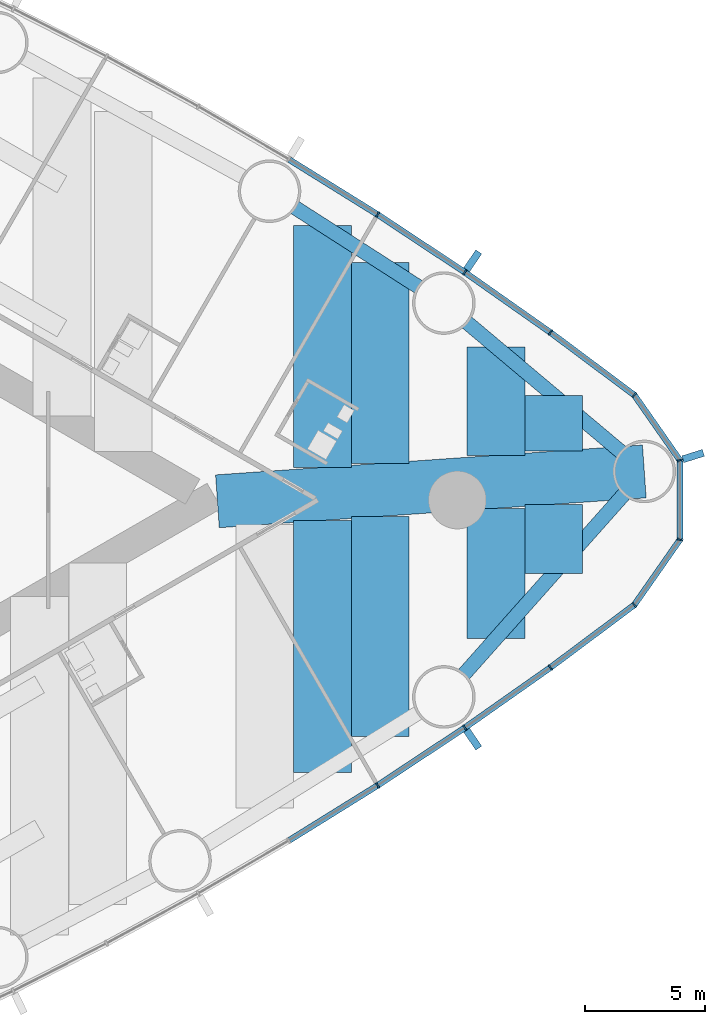
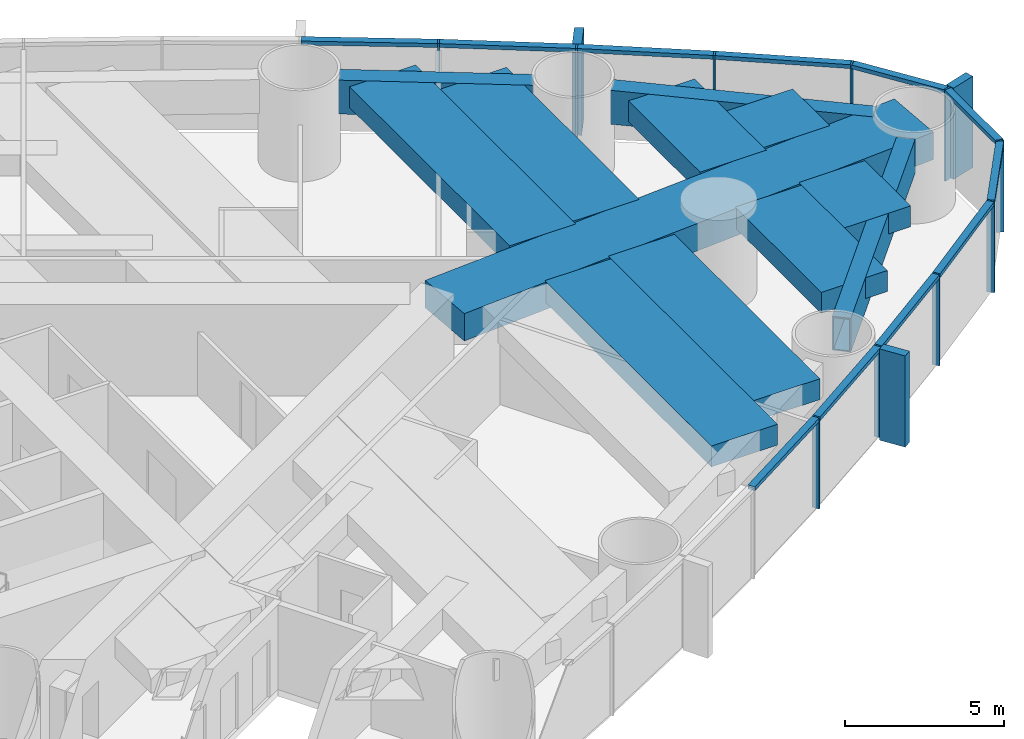
# One storey, part 8 of 18: 24 members, 12 beams, 1 element without a shape of its own.
"""IFC4 building model written with IfcOpenShell, lengths in metres."""

from ifc_helpers import new_model, si_unit, direction, frame, origin, origin_2d, place, context, subcontext, project, spatial, rectangle, hollow_rectangle, extrude, material, material_profile, profile_set, type_object, element, aggregate, save


model = new_model("IFC4")

# Units and contexts
model_context = context("Model", 3, precision=1e-05, world=origin(), true_north=direction((0.0, 1.0)))
body_context = subcontext(model_context, "Body", "Model", "MODEL_VIEW")
ifc_project = project(units=[si_unit("LENGTHUNIT", "METRE"), si_unit("AREAUNIT", "SQUARE_METRE"), si_unit("VOLUMEUNIT", "CUBIC_METRE"), si_unit("PLANEANGLEUNIT", "RADIAN"), si_unit("MASSUNIT", "GRAM", prefix="KILO")], contexts=[model_context])

# Site, building, storey
site_placement = place(None, origin())
site = spatial("IfcSite", under=ifc_project, at=site_placement, CompositionType="ELEMENT")
building_placement = place(site_placement, origin())
building = spatial("IfcBuilding", under=site, at=building_placement, Name="Lancet Gate Hotel", CompositionType="ELEMENT")
storey_placement = place(building_placement, frame((0.0, 0.0, 139.60009765625)))
storey = spatial("IfcBuildingStorey", under=building, at=storey_placement, Name="L37", CompositionType="ELEMENT", Elevation=139.60009765625)

# Curtain wall, members
ifc_material_1 = material(Name="Aluminium curtain wall", Category="aluminium")
curtain_wall_type = type_object("IfcCurtainWallType", Name="Tower unitised curtain wall", PredefinedType="USERDEFINED", material=ifc_material_1)
curtain_wall_placement = place(storey_placement, origin())
curtain_wall = element("IfcCurtainWall", 1, at=curtain_wall_placement, inside=storey, type_object=curtain_wall_type, Name="T2 L37 curtain wall 1", ObjectType="UNITISED CURTAIN WALL", PredefinedType="USERDEFINED")
ifc_material_2 = material(Name="Aluminium mullion", Category="aluminium")
ifc_material_profile_1 = material_profile(ifc_material_2, rectangle(XDim=0.06494140625, YDim=0.25, at=origin_2d()), Name="MULLION 65x250")
ifc_profile_set_1 = profile_set([ifc_material_profile_1], Name="Aluminium mullion")
member_type_1 = type_object("IfcMemberType", Name="Aluminium mullion 65x250", PredefinedType="MULLION", material=ifc_profile_set_1)
member_1_placement = place(storey_placement, frame((58.188720703125, -11.8603515625, 0.0), z_axis=(0.0, 0.0, 1.0), x_axis=(0.841736224144, 0.539888996891, 0.0)))
member_1 = element("IfcMember", 2, at=member_1_placement, type_object=member_type_1, Name="T2 L37 curtain wall 1 mullion 13", PredefinedType="MULLION", context=body_context, shape_type="SweptSolid", body=[
    extrude(rectangle(XDim=0.06494140625, YDim=0.25, at=origin_2d()), origin(), (0.0, 0.0, 1.0), 3.5),
])
member_2_placement = place(storey_placement, frame((61.814208984375, -9.461669921875, 0.0), z_axis=(0.0, 0.0, 1.0), x_axis=(0.826065510491, 0.563574105489, 0.0)))
member_2 = element("IfcMember", 3, at=member_2_placement, type_object=member_type_1, Name="T2 L37 curtain wall 1 mullion 14", PredefinedType="MULLION", context=body_context, shape_type="SweptSolid", body=[
    extrude(rectangle(XDim=0.06494140625, YDim=0.25, at=origin_2d()), origin(), (0.0, 0.0, 1.0), 3.5),
])
member_3_placement = place(storey_placement, frame((65.370361328125, -6.9609375, 0.0), z_axis=(0.0, 0.0, 1.0), x_axis=(0.809728529035, 0.586804660229, 0.0)))
member_3 = element("IfcMember", 4, at=member_3_placement, type_object=member_type_1, Name="T2 L37 curtain wall 1 mullion 15", PredefinedType="MULLION", context=body_context, shape_type="SweptSolid", body=[
    extrude(rectangle(XDim=0.06494140625, YDim=0.25, at=origin_2d()), origin(), (0.0, 0.0, 1.0), 3.5),
])
member_4_placement = place(storey_placement, frame((68.853759765625, -4.360107421875, 0.0), z_axis=(0.0, 0.0, 1.0), x_axis=(0.711610374907, 0.702574319432, 0.0)))
member_4 = element("IfcMember", 5, at=member_4_placement, type_object=member_type_1, Name="T2 L37 curtain wall 1 mullion 16", PredefinedType="MULLION", context=body_context, shape_type="SweptSolid", body=[
    extrude(rectangle(XDim=0.06494140625, YDim=0.25, at=origin_2d()), origin(), (0.0, 0.0, 1.0), 3.5),
])
member_5_placement = place(storey_placement, frame((70.747314453125, -1.652099609375, 0.0), z_axis=(0.0, 0.0, 1.0), x_axis=(0.300384890639, 0.953818073574, 0.0)))
member_5 = element("IfcMember", 6, at=member_5_placement, type_object=member_type_1, Name="T2 L37 curtain wall 1 mullion 17", PredefinedType="MULLION", context=body_context, shape_type="SweptSolid", body=[
    extrude(rectangle(XDim=0.06494140625, YDim=0.25, at=origin_2d()), origin(), (0.0, 0.0, 1.0), 3.5),
])
member_6_placement = place(storey_placement, frame((70.747314453125, 1.652099609375, 0.0), z_axis=(0.0, 0.0, 1.0), x_axis=(-0.300384890639, 0.953818073574, 0.0)))
member_6 = element("IfcMember", 7, at=member_6_placement, type_object=member_type_1, Name="T2 L37 curtain wall 1 mullion 18", PredefinedType="MULLION", context=body_context, shape_type="SweptSolid", body=[
    extrude(rectangle(XDim=0.06494140625, YDim=0.25, at=origin_2d()), origin(), (0.0, 0.0, 1.0), 3.5),
])
member_7_placement = place(storey_placement, frame((68.853759765625, 4.360107421875, 0.0), z_axis=(0.0, 0.0, 1.0), x_axis=(-0.711610374907, 0.702574319432, 0.0)))
member_7 = element("IfcMember", 8, at=member_7_placement, type_object=member_type_1, Name="T2 L37 curtain wall 1 mullion 19", PredefinedType="MULLION", context=body_context, shape_type="SweptSolid", body=[
    extrude(rectangle(XDim=0.06494140625, YDim=0.25, at=origin_2d()), origin(), (0.0, 0.0, 1.0), 3.5),
])
member_8_placement = place(storey_placement, frame((65.370361328125, 6.9609375, 0.0), z_axis=(0.0, 0.0, 1.0), x_axis=(-0.809728529035, 0.586804660229, 0.0)))
member_8 = element("IfcMember", 9, at=member_8_placement, type_object=member_type_1, Name="T2 L37 curtain wall 1 mullion 20", PredefinedType="MULLION", context=body_context, shape_type="SweptSolid", body=[
    extrude(rectangle(XDim=0.06494140625, YDim=0.25, at=origin_2d()), origin(), (0.0, 0.0, 1.0), 3.5),
])
member_9_placement = place(storey_placement, frame((61.814208984375, 9.461669921875, 0.0), z_axis=(0.0, 0.0, 1.0), x_axis=(-0.826065510491, 0.563574105489, 0.0)))
member_9 = element("IfcMember", 10, at=member_9_placement, type_object=member_type_1, Name="T2 L37 curtain wall 1 mullion 21", PredefinedType="MULLION", context=body_context, shape_type="SweptSolid", body=[
    extrude(rectangle(XDim=0.06494140625, YDim=0.25, at=origin_2d()), origin(), (0.0, 0.0, 1.0), 3.5),
])
member_10_placement = place(storey_placement, frame((58.188720703125, 11.8603515625, 0.0), z_axis=(0.0, 0.0, 1.0), x_axis=(-0.841736224144, 0.539888996891, 0.0)))
member_10 = element("IfcMember", 11, at=member_10_placement, type_object=member_type_1, Name="T2 L37 curtain wall 1 mullion 22", PredefinedType="MULLION", context=body_context, shape_type="SweptSolid", body=[
    extrude(rectangle(XDim=0.06494140625, YDim=0.25, at=origin_2d()), origin(), (0.0, 0.0, 1.0), 3.5),
])
ifc_material_3 = material(Name="Aluminium transom", Category="aluminium")
ifc_material_profile_2 = material_profile(ifc_material_3, rectangle(XDim=0.25, YDim=0.14990234375, at=origin_2d()), Name="TRANSOM 250x150")
ifc_profile_set_2 = profile_set([ifc_material_profile_2], Name="Aluminium transom")
member_type_2 = type_object("IfcMemberType", Name="Aluminium transom 250x150", PredefinedType="USERDEFINED", material=ifc_profile_set_2)
member_11_placement = place(storey_placement, frame((54.52392578125, -14.13818359375, 3.4248046875), z_axis=(0.849308812566, 0.527896335371, 0.0), x_axis=(-0.527896335371, 0.849308812566, 0.0)))
member_11 = element("IfcMember", 12, at=member_11_placement, type_object=member_type_2, Name="T2 L37 curtain wall 1 transom 12", ObjectType="TRANSOM", PredefinedType="USERDEFINED", context=body_context, shape_type="SweptSolid", body=[
    extrude(rectangle(XDim=0.25, YDim=0.14990234375, at=origin_2d()), origin(), (0.0, 0.0, 1.0), 4.282470703125),
])
member_12_placement = place(storey_placement, frame((58.2158203125, -11.842529296875, 3.4248046875), z_axis=(0.833966159038, 0.551815590192, 0.0), x_axis=(-0.551815590192, 0.833966159038, 0.0)))
member_12 = element("IfcMember", 13, at=member_12_placement, type_object=member_type_2, Name="T2 L37 curtain wall 1 transom 13", ObjectType="TRANSOM", PredefinedType="USERDEFINED", context=body_context, shape_type="SweptSolid", body=[
    extrude(rectangle(XDim=0.25, YDim=0.14990234375, at=origin_2d()), origin(), (0.0, 0.0, 1.0), 4.2822265625),
])
member_13_placement = place(storey_placement, frame((61.8408203125, -9.44287109375, 3.4248046875), z_axis=(0.817987243547, 0.57523635959, 0.0), x_axis=(-0.57523635959, 0.817987243547, 0.0)))
member_13 = element("IfcMember", 14, at=member_13_placement, type_object=member_type_2, Name="T2 L37 curtain wall 1 transom 14", ObjectType="TRANSOM", PredefinedType="USERDEFINED", context=body_context, shape_type="SweptSolid", body=[
    extrude(rectangle(XDim=0.25, YDim=0.14990234375, at=origin_2d()), origin(), (0.0, 0.0, 1.0), 4.282470703125),
])
member_14_placement = place(storey_placement, frame((65.396240234375, -6.94140625, 3.4248046875), z_axis=(0.801311559064, 0.598247261014, 0.0), x_axis=(-0.598247261014, 0.801311559064, 0.0)))
member_14 = element("IfcMember", 15, at=member_14_placement, type_object=member_type_2, Name="T2 L37 curtain wall 1 transom 15", ObjectType="TRANSOM", PredefinedType="USERDEFINED", context=body_context, shape_type="SweptSolid", body=[
    extrude(rectangle(XDim=0.25, YDim=0.14990234375, at=origin_2d()), origin(), (0.0, 0.0, 1.0), 4.282470703125),
])
member_15_placement = place(storey_placement, frame((68.87255859375, -4.33349609375, 3.4248046875), z_axis=(0.573017137751, 0.819543384967, 0.0), x_axis=(-0.819543384967, 0.573017137751, 0.0)))
member_15 = element("IfcMember", 16, at=member_15_placement, type_object=member_type_2, Name="T2 L37 curtain wall 1 transom 16", ObjectType="TRANSOM", PredefinedType="USERDEFINED", context=body_context, shape_type="SweptSolid", body=[
    extrude(rectangle(XDim=0.25, YDim=0.14990234375, at=origin_2d()), origin(), (0.0, 0.0, 1.0), 3.2392578125),
])
member_16_placement = place(storey_placement, frame((70.747314453125, -1.61962890625, 3.4248046875), z_axis=(0.0, 1.0, 0.0), x_axis=(-1.0, 0.0, 0.0)))
member_16 = element("IfcMember", 17, at=member_16_placement, type_object=member_type_2, Name="T2 L37 curtain wall 1 transom 17", ObjectType="TRANSOM", PredefinedType="USERDEFINED", context=body_context, shape_type="SweptSolid", body=[
    extrude(rectangle(XDim=0.25, YDim=0.14990234375, at=origin_2d()), origin(), (0.0, 0.0, 1.0), 3.2392578125),
])
member_17_placement = place(storey_placement, frame((70.728759765625, 1.6787109375, 3.4248046875), z_axis=(-0.573017137751, 0.819543384967, 0.0), x_axis=(-0.819543384967, -0.573017137751, 0.0)))
member_17 = element("IfcMember", 18, at=member_17_placement, type_object=member_type_2, Name="T2 L37 curtain wall 1 transom 18", ObjectType="TRANSOM", PredefinedType="USERDEFINED", context=body_context, shape_type="SweptSolid", body=[
    extrude(rectangle(XDim=0.25, YDim=0.14990234375, at=origin_2d()), origin(), (0.0, 0.0, 1.0), 3.2392578125),
])
member_18_placement = place(storey_placement, frame((68.827880859375, 4.37939453125, 3.4248046875), z_axis=(-0.801311559064, 0.598247261014, 0.0), x_axis=(-0.598247261014, -0.801311559064, 0.0)))
member_18 = element("IfcMember", 19, at=member_18_placement, type_object=member_type_2, Name="T2 L37 curtain wall 1 transom 19", ObjectType="TRANSOM", PredefinedType="USERDEFINED", context=body_context, shape_type="SweptSolid", body=[
    extrude(rectangle(XDim=0.25, YDim=0.14990234375, at=origin_2d()), origin(), (0.0, 0.0, 1.0), 4.282470703125),
])
member_19_placement = place(storey_placement, frame((65.34375, 6.9794921875, 3.4248046875), z_axis=(-0.817987243547, 0.57523635959, 0.0), x_axis=(-0.57523635959, -0.817987243547, 0.0)))
member_19 = element("IfcMember", 20, at=member_19_placement, type_object=member_type_2, Name="T2 L37 curtain wall 1 transom 20", ObjectType="TRANSOM", PredefinedType="USERDEFINED", context=body_context, shape_type="SweptSolid", body=[
    extrude(rectangle(XDim=0.25, YDim=0.14990234375, at=origin_2d()), origin(), (0.0, 0.0, 1.0), 4.282470703125),
])
member_20_placement = place(storey_placement, frame((61.787109375, 9.4794921875, 3.4248046875), z_axis=(-0.833966159038, 0.551815590192, 0.0), x_axis=(-0.551815590192, -0.833966159038, 0.0)))
member_20 = element("IfcMember", 21, at=member_20_placement, type_object=member_type_2, Name="T2 L37 curtain wall 1 transom 21", ObjectType="TRANSOM", PredefinedType="USERDEFINED", context=body_context, shape_type="SweptSolid", body=[
    extrude(rectangle(XDim=0.25, YDim=0.14990234375, at=origin_2d()), origin(), (0.0, 0.0, 1.0), 4.2822265625),
])
member_21_placement = place(storey_placement, frame((58.1611328125, 11.87744140625, 3.4248046875), z_axis=(-0.849308812566, 0.527896335371, 0.0), x_axis=(-0.527896335371, -0.849308812566, 0.0)))
member_21 = element("IfcMember", 22, at=member_21_placement, type_object=member_type_2, Name="T2 L37 curtain wall 1 transom 22", ObjectType="TRANSOM", PredefinedType="USERDEFINED", context=body_context, shape_type="SweptSolid", body=[
    extrude(rectangle(XDim=0.25, YDim=0.14990234375, at=origin_2d()), origin(), (0.0, 0.0, 1.0), 4.282470703125),
])

# Beams
ifc_material_4 = material(Name="Steel S460QL", Category="steel")
ifc_material_profile_3 = material_profile(ifc_material_4, hollow_rectangle(XDim=0.60009765625, YDim=1.300048828125, WallThickness=0.050048828125, at=origin_2d()), Name="BOX 1300x600x50")
ifc_profile_set_3 = profile_set([ifc_material_profile_3], Name="Steel S460QL")
beam_type_1 = type_object("IfcBeamType", Name="Edge beam BOX 1300x600x50", PredefinedType="SPANDREL", material=ifc_profile_set_3)
beam_1_placement = place(storey_placement, frame((61.771240234375, -7.2470703125, 2.599853515625), z_axis=(0.664406121787, 0.747371731692, 0.0), x_axis=(-0.747371731692, 0.664406121787, 0.0)))
element("IfcBeam", 23, at=beam_1_placement, inside=storey, type_object=beam_type_1, Name="T2 edge beam EB2 L37", PredefinedType="SPANDREL", context=body_context, shape_type="SweptSolid", body=[
    extrude(hollow_rectangle(XDim=0.60009765625, YDim=1.300048828125, WallThickness=0.050048828125, at=origin_2d()), origin(), (0.0, 0.0, 1.0), 10.034423828125),
])
beam_2_placement = place(storey_placement, frame((68.311767578125, 1.990478515625, 2.599853515625), z_axis=(-0.765757116068, 0.64312987739, 0.0), x_axis=(-0.64312987739, -0.765757116068, 0.0)))
element("IfcBeam", 24, at=beam_2_placement, inside=storey, type_object=beam_type_1, Name="T2 edge beam EB2 L37", PredefinedType="SPANDREL", context=body_context, shape_type="SweptSolid", body=[
    extrude(hollow_rectangle(XDim=0.60009765625, YDim=1.300048828125, WallThickness=0.050048828125, at=origin_2d()), origin(), (0.0, 0.0, 1.0), 8.375732421875),
])
beam_3_placement = place(storey_placement, frame((59.888671875, 8.85595703125, 2.599853515625), z_axis=(-0.841719796623, 0.539914608038, 0.0), x_axis=(-0.539914608038, -0.841719796623, 0.0)))
element("IfcBeam", 25, at=beam_3_placement, inside=storey, type_object=beam_type_1, Name="T2 edge beam EB2 L37", PredefinedType="SPANDREL", context=body_context, shape_type="SweptSolid", body=[
    extrude(hollow_rectangle(XDim=0.60009765625, YDim=1.300048828125, WallThickness=0.050048828125, at=origin_2d()), origin(), (0.0, 0.0, 1.0), 6.10595703125),
])

# Member
ifc_material_5 = material(Name="Precast concrete C50/60", Category="concrete")
ifc_material_profile_4 = material_profile(ifc_material_5, rectangle(XDim=0.300048828125, YDim=0.89990234375, at=origin_2d()), Name="FIN 300x900")
ifc_profile_set_4 = profile_set([ifc_material_profile_4], Name="Precast concrete C50/60")
member_type_3 = type_object("IfcMemberType", Name="Exposed concrete fin 300x900", PredefinedType="USERDEFINED", material=ifc_profile_set_4)
member_22_placement = place(storey_placement, frame((62.138427734375, -9.9365234375, 0.0), z_axis=(0.0, 0.0, 1.0), x_axis=(0.826065510491, 0.563574105489, 0.0)))
member_22 = element("IfcMember", 26, at=member_22_placement, type_object=member_type_3, Name="T2 L37 curtain wall 1 fin 14", ObjectType="FIN", PredefinedType="USERDEFINED", context=body_context, shape_type="SweptSolid", body=[
    extrude(rectangle(XDim=0.300048828125, YDim=0.89990234375, at=origin_2d()), origin(), (0.0, 0.0, 1.0), 3.5),
])

member_23_placement = place(storey_placement, frame((71.295654296875, 1.824951171875, 0.0), z_axis=(0.0, 0.0, 1.0), x_axis=(-0.300384890639, 0.953818073574, 0.0)))
member_23 = element("IfcMember", 27, at=member_23_placement, type_object=member_type_3, Name="T2 L37 curtain wall 1 fin 18", ObjectType="FIN", PredefinedType="USERDEFINED", context=body_context, shape_type="SweptSolid", body=[
    extrude(rectangle(XDim=0.300048828125, YDim=0.89990234375, at=origin_2d()), origin(), (0.0, 0.0, 1.0), 3.5),
])

member_24_placement = place(storey_placement, frame((62.138427734375, 9.9365234375, 0.0), z_axis=(0.0, 0.0, 1.0), x_axis=(-0.826065510491, 0.563574105489, 0.0)))
member_24 = element("IfcMember", 28, at=member_24_placement, type_object=member_type_3, Name="T2 L37 curtain wall 1 fin 21", ObjectType="FIN", PredefinedType="USERDEFINED", context=body_context, shape_type="SweptSolid", body=[
    extrude(rectangle(XDim=0.300048828125, YDim=0.89990234375, at=origin_2d()), origin(), (0.0, 0.0, 1.0), 3.5),
])

aggregate(curtain_wall, [member_1, member_2, member_22, member_3, member_4, member_5, member_6, member_23, member_7, member_8, member_9, member_24, member_10, member_11, member_12, member_13, member_14, member_15, member_16, member_17, member_18, member_19, member_20, member_21])

# Beams
ifc_material_6 = material(Name="Concrete C50/60", Category="concrete")
ifc_material_profile_5 = material_profile(ifc_material_6, rectangle(XDim=2.39990234375, YDim=0.800048828125, at=origin_2d()), Name="RC 2400x800")
ifc_profile_set_5 = profile_set([ifc_material_profile_5], Name="Concrete C50/60")
beam_type_2 = type_object("IfcBeamType", Name="Floor beam RC 2400x800", PredefinedType="BEAM", material=ifc_profile_set_5)
beam_4_placement = place(storey_placement, frame((55.90234375, -11.312744140625, 2.849853515625), z_axis=(0.0, 1.0, 0.0), x_axis=(-1.0, 0.0, 0.0)))
element("IfcBeam", 29, at=beam_4_placement, inside=storey, type_object=beam_type_2, Name="T2 floor beam F14S L37", PredefinedType="BEAM", context=body_context, shape_type="SweptSolid", body=[
    extrude(rectangle(XDim=2.39990234375, YDim=0.800048828125, at=origin_2d()), origin(), (0.0, 0.0, 1.0), 10.4619140625),
])
beam_5_placement = place(storey_placement, frame((55.90234375, 1.3544921875, 2.849853515625), z_axis=(0.0, 1.0, 0.0), x_axis=(-1.0, 0.0, 0.0)))
element("IfcBeam", 30, at=beam_5_placement, inside=storey, type_object=beam_type_2, Name="T2 floor beam F15N L37", PredefinedType="BEAM", context=body_context, shape_type="SweptSolid", body=[
    extrude(rectangle(XDim=2.39990234375, YDim=0.800048828125, at=origin_2d()), origin(), (0.0, 0.0, 1.0), 10.058349609375),
])
beam_6_placement = place(storey_placement, frame((58.30224609375, -9.821044921875, 2.849853515625), z_axis=(0.0, 1.0, 0.0), x_axis=(-1.0, 0.0, 0.0)))
element("IfcBeam", 31, at=beam_6_placement, inside=storey, type_object=beam_type_2, Name="T2 floor beam F16S L37", PredefinedType="BEAM", context=body_context, shape_type="SweptSolid", body=[
    extrude(rectangle(XDim=2.39990234375, YDim=0.800048828125, at=origin_2d()), origin(), (0.0, 0.0, 1.0), 9.137939453125),
])
beam_7_placement = place(storey_placement, frame((58.30224609375, 1.522216796875, 2.849853515625), z_axis=(0.0, 1.0, 0.0), x_axis=(-1.0, 0.0, 0.0)))
element("IfcBeam", 32, at=beam_7_placement, inside=storey, type_object=beam_type_2, Name="T2 floor beam F17N L37", PredefinedType="BEAM", context=body_context, shape_type="SweptSolid", body=[
    extrude(rectangle(XDim=2.39990234375, YDim=0.800048828125, at=origin_2d()), origin(), (0.0, 0.0, 1.0), 8.351318359375),
])
beam_8_placement = place(storey_placement, frame((63.102294921875, -5.75, 2.849853515625), z_axis=(0.0, 1.0, 0.0), x_axis=(-1.0, 0.0, 0.0)))
element("IfcBeam", 33, at=beam_8_placement, inside=storey, type_object=beam_type_2, Name="T2 floor beam F18S L37", PredefinedType="BEAM", context=body_context, shape_type="SweptSolid", body=[
    extrude(rectangle(XDim=2.39990234375, YDim=0.800048828125, at=origin_2d()), origin(), (0.0, 0.0, 1.0), 5.402587890625),
])
beam_9_placement = place(storey_placement, frame((63.102294921875, 1.85791015625, 2.849853515625), z_axis=(0.0, 1.0, 0.0), x_axis=(-1.0, 0.0, 0.0)))
element("IfcBeam", 34, at=beam_9_placement, inside=storey, type_object=beam_type_2, Name="T2 floor beam F19N L37", PredefinedType="BEAM", context=body_context, shape_type="SweptSolid", body=[
    extrude(rectangle(XDim=2.39990234375, YDim=0.800048828125, at=origin_2d()), origin(), (0.0, 0.0, 1.0), 4.5078125),
])
beam_10_placement = place(storey_placement, frame((65.502197265625, -3.05029296875, 2.849853515625), z_axis=(0.0, 1.0, 0.0), x_axis=(-1.0, 0.0, 0.0)))
element("IfcBeam", 35, at=beam_10_placement, inside=storey, type_object=beam_type_2, Name="T2 floor beam F20S L37", PredefinedType="BEAM", context=body_context, shape_type="SweptSolid", body=[
    extrude(rectangle(XDim=2.39990234375, YDim=0.800048828125, at=origin_2d()), origin(), (0.0, 0.0, 1.0), 2.87060546875),
])
beam_11_placement = place(storey_placement, frame((65.502197265625, 2.02587890625, 2.849853515625), z_axis=(0.0, 1.0, 0.0), x_axis=(-1.0, 0.0, 0.0)))
element("IfcBeam", 36, at=beam_11_placement, inside=storey, type_object=beam_type_2, Name="T2 floor beam F21N L37", PredefinedType="BEAM", context=body_context, shape_type="SweptSolid", body=[
    extrude(rectangle(XDim=2.39990234375, YDim=0.800048828125, at=origin_2d()), origin(), (0.0, 0.0, 1.0), 2.32421875),
])
ifc_material_7 = material(Name="Concrete C50/60", Category="concrete")
ifc_material_profile_6 = material_profile(ifc_material_7, rectangle(XDim=2.199951171875, YDim=1.050048828125, at=origin_2d()), Name="RC 2200x1050")
ifc_profile_set_6 = profile_set([ifc_material_profile_6], Name="Concrete C50/60")
beam_type_3 = type_object("IfcBeamType", Name="Radial floor beam RC 2200x1050", PredefinedType="BEAM", material=ifc_profile_set_6)
beam_12_placement = place(storey_placement, frame((69.268798828125, 1.1865234375, 2.724853515625), z_axis=(-0.99756389092, -0.069758752369, 0.0), x_axis=(0.069758752369, -0.99756389092, 0.0)))
element("IfcBeam", 37, at=beam_12_placement, inside=storey, type_object=beam_type_3, Name="T2 radial beam CA L37", PredefinedType="BEAM", context=body_context, shape_type="SweptSolid", body=[
    extrude(rectangle(XDim=2.199951171875, YDim=1.050048828125, at=origin_2d()), origin(), (0.0, 0.0, 1.0), 17.77880859375),
])

save(model, "model.ifc")
